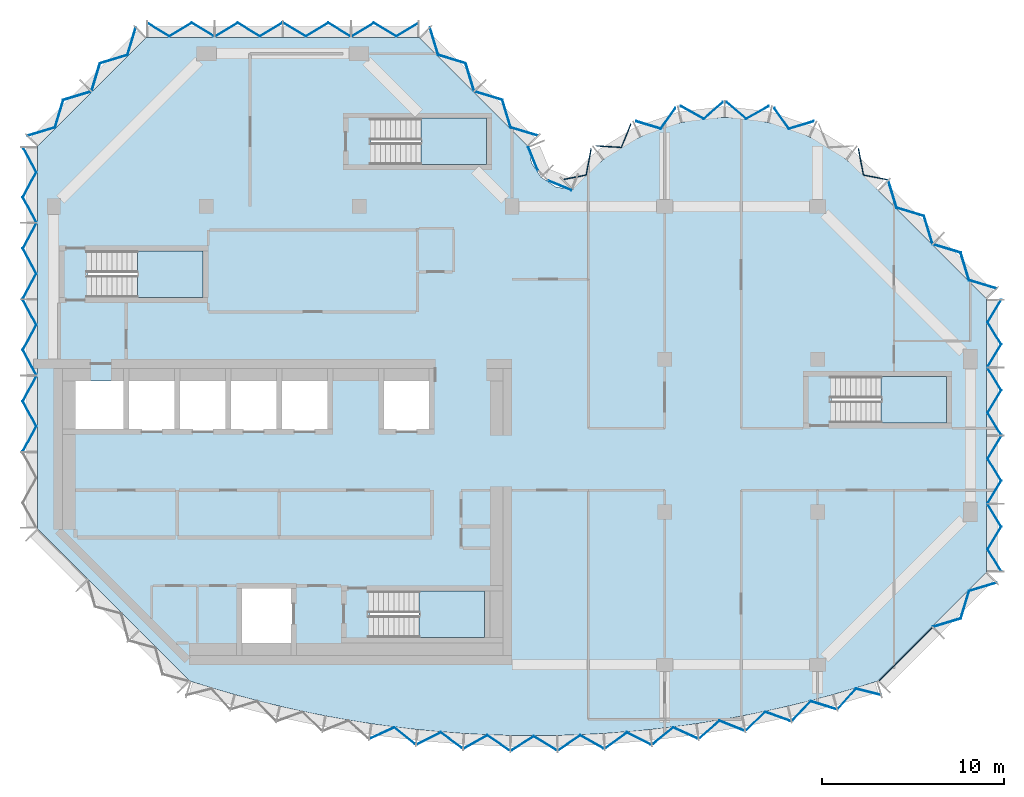
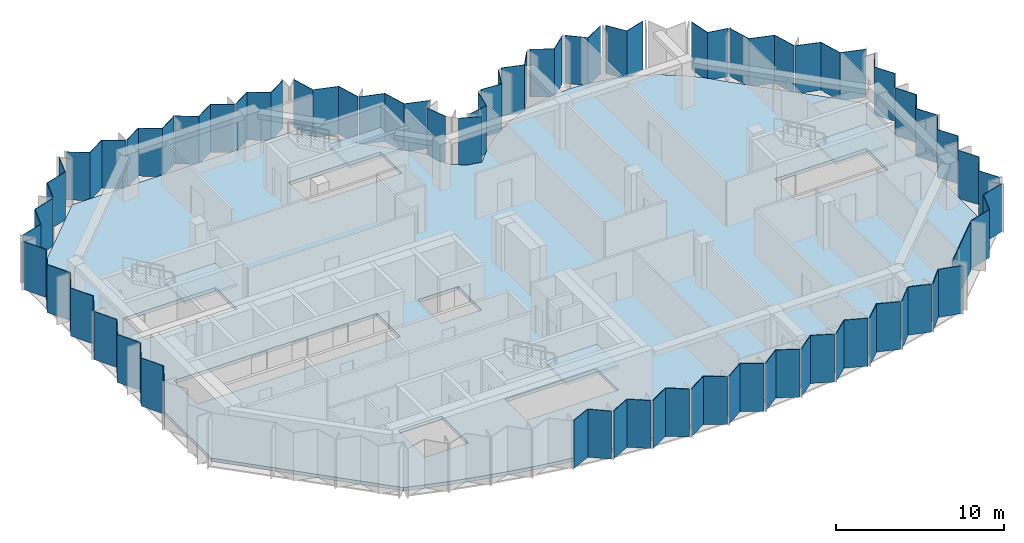
# One storey, part 3 of 9: 40 plates, 5 slabs, 14 elements without a shape of their own.
"""IFC4 building model written with IfcOpenShell, lengths in metres."""

from ifc_helpers import new_model, si_unit, direction, frame, origin, place, context, subcontext, project, spatial, polyline, outline, extrude, material, layer, layer_set, type_object, element, aggregate, save


model = new_model("IFC4")

# Units and contexts
model_context = context("Model", 3, precision=1e-05, world=origin(), true_north=direction((0.0, 1.0)))
body_context = subcontext(model_context, "Body", "Model", "MODEL_VIEW")
ifc_project = project(units=[si_unit("LENGTHUNIT", "METRE"), si_unit("AREAUNIT", "SQUARE_METRE"), si_unit("VOLUMEUNIT", "CUBIC_METRE"), si_unit("PLANEANGLEUNIT", "RADIAN"), si_unit("MASSUNIT", "GRAM", prefix="KILO")], contexts=[model_context])

# Site, building, storey
site_placement = place(None, origin())
site = spatial("IfcSite", under=ifc_project, at=site_placement, CompositionType="ELEMENT")
building_placement = place(site_placement, origin())
building = spatial("IfcBuilding", under=site, at=building_placement, Name="Brevane Broadcast Tower", CompositionType="ELEMENT")
storey_placement = place(building_placement, frame((0.0, 0.0, 215.699951171875)))
storey = spatial("IfcBuildingStorey", under=building, at=storey_placement, Name="L54", CompositionType="ELEMENT", Elevation=215.699951171875)

# Curtain wall, plates
ifc_material_1 = material(Name="Aluminium 6063-T6 bronze anodised", Category="aluminium")
curtain_wall_type = type_object("IfcCurtainWallType", Name="CW-1 curtain wall", PredefinedType="NOTDEFINED", material=ifc_material_1)
curtain_wall_1_placement = place(storey_placement, origin())
curtain_wall_1 = element("IfcCurtainWall", 1, at=curtain_wall_1_placement, inside=storey, type_object=curtain_wall_type, Name="CW-1 typical tilted unit L54 south bow", PredefinedType="NOTDEFINED")
ifc_material_2 = material(Name="Laminated glass bronze-tinted", Category="glass")
ifc_layer_1 = layer(ifc_material_2, 0.0400390625)
ifc_layer_set_1 = layer_set([ifc_layer_1], Name="CW tall glass panel 40")
plate_type = type_object("IfcPlateType", Name="CW tall glass panel 40", PredefinedType="CURTAIN_PANEL", material=ifc_layer_set_1)
plate_1_placement = place(storey_placement, frame((0.0, 0.0, -0.14990234375)))
plate_1 = element("IfcPlate", 2, at=plate_1_placement, type_object=plate_type, Name="CW-1 glass panel", PredefinedType="CURTAIN_PANEL", context=body_context, shape_type="SweptSolid", body=[
    extrude(outline(polyline([(17.424072265625, -4.021728515625), (17.4169921875, -4.06884765625), (18.72705078125, -3.47265625), (19.8466796875, -4.37451171875), (19.851806640625, -4.3271484375), (18.73291015625, -3.426025390625), (17.424072265625, -4.021728515625)])), origin(), (0.0, 0.0, 1.0), 3.5),
])
plate_2_placement = place(storey_placement, frame((0.0, 0.0, -0.14990234375)))
plate_2 = element("IfcPlate", 3, at=plate_2_placement, type_object=plate_type, Name="CW-1 glass panel", PredefinedType="CURTAIN_PANEL", context=body_context, shape_type="SweptSolid", body=[
    extrude(outline(polyline([(19.998046875, -4.3466796875), (19.992919921875, -4.39404296875), (21.27734375, -3.741943359375), (22.43359375, -4.594482421875), (22.4365234375, -4.547119140625), (21.28125, -3.695068359375), (19.998046875, -4.3466796875)])), origin(), (0.0, 0.0, 1.0), 3.5),
])
plate_3_placement = place(storey_placement, frame((0.0, 0.0, -0.14990234375)))
plate_3 = element("IfcPlate", 4, at=plate_3_placement, type_object=plate_type, Name="CW-1 glass panel", PredefinedType="CURTAIN_PANEL", context=body_context, shape_type="SweptSolid", body=[
    extrude(outline(polyline([(22.58349609375, -4.563720703125), (22.580322265625, -4.611083984375), (23.836669921875, -3.904541015625), (25.02783203125, -4.706787109375), (25.02880859375, -4.6591796875), (23.83837890625, -3.857666015625), (22.58349609375, -4.563720703125)])), origin(), (0.0, 0.0, 1.0), 3.5),
])
plate_4_placement = place(storey_placement, frame((0.0, 0.0, -0.14990234375)))
plate_4 = element("IfcPlate", 5, at=plate_4_placement, type_object=plate_type, Name="CW-1 glass panel", PredefinedType="CURTAIN_PANEL", context=body_context, shape_type="SweptSolid", body=[
    extrude(outline(polyline([(25.176025390625, -4.67236328125), (25.175048828125, -4.719970703125), (26.4052734375, -3.958984375), (27.634033203125, -4.70849609375), (27.633056640625, -4.6611328125), (26.4052734375, -3.912109375), (25.176025390625, -4.67236328125)])), origin(), (0.0, 0.0, 1.0), 3.5),
])
plate_5_placement = place(storey_placement, frame((0.0, 0.0, -0.14990234375)))
plate_5 = element("IfcPlate", 6, at=plate_5_placement, type_object=plate_type, Name="CW-1 glass panel", PredefinedType="CURTAIN_PANEL", context=body_context, shape_type="SweptSolid", body=[
    extrude(outline(polyline([(27.76171875, -4.65966796875), (27.7626953125, -4.70703125), (28.958740234375, -3.90478515625), (30.219482421875, -4.611083984375), (30.216552734375, -4.563720703125), (28.956787109375, -3.85791015625), (27.76171875, -4.65966796875)])), origin(), (0.0, 0.0, 1.0), 3.5),
])
plate_6_placement = place(storey_placement, frame((0.0, 0.0, -0.14990234375)))
plate_6 = element("IfcPlate", 7, at=plate_6_placement, type_object=plate_type, Name="CW-1 glass panel", PredefinedType="CURTAIN_PANEL", context=body_context, shape_type="SweptSolid", body=[
    extrude(outline(polyline([(30.36328125, -4.547119140625), (30.366455078125, -4.594482421875), (31.522705078125, -3.741943359375), (32.806884765625, -4.39404296875), (32.802001953125, -4.3466796875), (31.518798828125, -3.695068359375), (30.36328125, -4.547119140625)])), origin(), (0.0, 0.0, 1.0), 3.5),
])
plate_7_placement = place(storey_placement, frame((0.0, 0.0, -0.14990234375)))
plate_7 = element("IfcPlate", 8, at=plate_7_placement, type_object=plate_type, Name="CW-1 glass panel", PredefinedType="CURTAIN_PANEL", context=body_context, shape_type="SweptSolid", body=[
    extrude(outline(polyline([(32.9482421875, -4.3271484375), (32.953369140625, -4.37451171875), (34.072998046875, -3.47265625), (35.383056640625, -4.06884765625), (35.3759765625, -4.021728515625), (34.067138671875, -3.426025390625), (32.9482421875, -4.3271484375)])), origin(), (0.0, 0.0, 1.0), 3.5),
])
plate_8_placement = place(storey_placement, frame((0.0, 0.0, -0.14990234375)))
plate_8 = element("IfcPlate", 9, at=plate_8_placement, type_object=plate_type, Name="CW-1 glass panel", PredefinedType="CURTAIN_PANEL", context=body_context, shape_type="SweptSolid", body=[
    extrude(outline(polyline([(35.521728515625, -3.99951171875), (35.52880859375, -4.04638671875), (36.60986328125, -3.09716796875), (37.943115234375, -3.63671875), (37.93408203125, -3.58984375), (36.60205078125, -3.05078125), (35.521728515625, -3.99951171875)])), origin(), (0.0, 0.0, 1.0), 3.5),
])
plate_9_placement = place(storey_placement, frame((0.0, 0.0, -0.14990234375)))
plate_9 = element("IfcPlate", 10, at=plate_9_placement, type_object=plate_type, Name="CW-1 glass panel", PredefinedType="CURTAIN_PANEL", context=body_context, shape_type="SweptSolid", body=[
    extrude(outline(polyline([(38.07958984375, -3.564453125), (38.08837890625, -3.611328125), (39.128662109375, -2.615966796875), (40.48291015625, -3.09765625), (40.471923828125, -3.051513671875), (39.118896484375, -2.570068359375), (38.07958984375, -3.564453125)])), origin(), (0.0, 0.0, 1.0), 3.5),
])
plate_10_placement = place(storey_placement, frame((0.0, 0.0, -0.14990234375)))
plate_10 = element("IfcPlate", 11, at=plate_10_placement, type_object=plate_type, Name="CW-1 glass panel", PredefinedType="CURTAIN_PANEL", context=body_context, shape_type="SweptSolid", body=[
    extrude(outline(polyline([(40.61669921875, -3.023193359375), (40.627685546875, -3.069580078125), (41.62548828125, -2.030029296875), (42.997802734375, -2.453369140625), (42.985107421875, -2.407470703125), (41.613525390625, -1.984619140625), (40.61669921875, -3.023193359375)])), origin(), (0.0, 0.0, 1.0), 3.5),
])
plate_11_placement = place(storey_placement, frame((0.0, 0.0, -0.14990234375)))
plate_11 = element("IfcPlate", 12, at=plate_11_placement, type_object=plate_type, Name="CW-1 glass panel", PredefinedType="CURTAIN_PANEL", context=body_context, shape_type="SweptSolid", body=[
    extrude(outline(polyline([(43.12939453125, -2.376220703125), (43.14208984375, -2.421875), (44.114013671875, -1.334716796875), (45.501220703125, -1.68798828125), (45.48779296875, -1.643310546875), (44.100341796875, -1.289794921875), (43.12939453125, -2.376220703125)])), origin(), (0.0, 0.0, 1.0), 3.5),
])
aggregate(curtain_wall_1, [plate_1, plate_2, plate_3, plate_4, plate_5, plate_6, plate_7, plate_8, plate_9, plate_10, plate_11])

curtain_wall_2_placement = place(storey_placement, origin())
curtain_wall_2 = element("IfcCurtainWall", 13, at=curtain_wall_2_placement, inside=storey, type_object=curtain_wall_type, Name="CW-1 typical tilted unit L54 south-east chamfer", PredefinedType="NOTDEFINED")
plate_12_placement = place(storey_placement, frame((0.0, 0.0, -0.14990234375)))
plate_12 = element("IfcPlate", 14, at=plate_12_placement, type_object=plate_type, Name="CW-1 glass panel", PredefinedType="CURTAIN_PANEL", context=body_context, shape_type="SweptSolid", body=[
    extrude(outline(polyline([(45.345947265625, -0.896484375), (48.29638671875, 2.053955078125), (48.32470703125, 2.02587890625), (45.374267578125, -0.9248046875), (45.345947265625, -0.896484375)])), origin(), (0.0, 0.0, 1.0), 3.5),
])
plate_13_placement = place(storey_placement, frame((0.0, 0.0, -0.14990234375)))
plate_13 = element("IfcPlate", 15, at=plate_13_placement, type_object=plate_type, Name="CW-1 glass panel", PredefinedType="CURTAIN_PANEL", context=body_context, shape_type="SweptSolid", body=[
    extrude(outline(polyline([(48.343994140625, 2.10546875), (48.376220703125, 2.073486328125), (49.885986328125, 2.530517578125), (50.343017578125, 4.040283203125), (51.85302734375, 4.49755859375), (51.82080078125, 4.529541015625), (50.31103515625, 4.072509765625), (49.85400390625, 2.5625), (48.343994140625, 2.10546875)])), origin(), (0.0, 0.0, 1.0), 3.5),
])
aggregate(curtain_wall_2, [plate_12, plate_13])

curtain_wall_3_placement = place(storey_placement, origin())
curtain_wall_3 = element("IfcCurtainWall", 16, at=curtain_wall_3_placement, inside=storey, type_object=curtain_wall_type, Name="CW-1 typical tilted unit L54 east end", PredefinedType="NOTDEFINED")
plate_14_placement = place(storey_placement, frame((0.0, 0.0, -0.14990234375)))
plate_14 = element("IfcPlate", 17, at=plate_14_placement, type_object=plate_type, Name="CW-1 glass panel", PredefinedType="CURTAIN_PANEL", context=body_context, shape_type="SweptSolid", body=[
    extrude(outline(polyline([(52.071044921875, 5.135009765625), (52.117919921875, 5.135009765625), (51.373291015625, 6.36181640625), (52.117919921875, 7.58837890625), (51.373291015625, 8.81494140625), (51.32666015625, 8.81494140625), (52.071044921875, 7.58837890625), (51.32666015625, 6.36181640625), (52.071044921875, 5.135009765625)])), origin(), (0.0, 0.0, 1.0), 3.5),
])
plate_15_placement = place(storey_placement, frame((0.0, 0.0, -0.14990234375)))
plate_15 = element("IfcPlate", 18, at=plate_15_placement, type_object=plate_type, Name="CW-1 glass panel", PredefinedType="CURTAIN_PANEL", context=body_context, shape_type="SweptSolid", body=[
    extrude(outline(polyline([(51.32666015625, 8.885009765625), (51.373291015625, 8.885009765625), (52.117919921875, 10.11181640625), (51.373291015625, 11.33837890625), (52.117919921875, 12.56494140625), (52.071044921875, 12.56494140625), (51.32666015625, 11.33837890625), (52.071044921875, 10.11181640625), (51.32666015625, 8.885009765625)])), origin(), (0.0, 0.0, 1.0), 3.5),
])
plate_16_placement = place(storey_placement, frame((0.0, 0.0, -0.14990234375)))
plate_16 = element("IfcPlate", 19, at=plate_16_placement, type_object=plate_type, Name="CW-1 glass panel", PredefinedType="CURTAIN_PANEL", context=body_context, shape_type="SweptSolid", body=[
    extrude(outline(polyline([(52.071044921875, 12.635009765625), (52.117919921875, 12.635009765625), (51.373291015625, 13.86181640625), (52.117919921875, 15.08837890625), (51.373291015625, 16.31494140625), (51.32666015625, 16.31494140625), (52.071044921875, 15.08837890625), (51.32666015625, 13.86181640625), (52.071044921875, 12.635009765625)])), origin(), (0.0, 0.0, 1.0), 3.5),
])
plate_17_placement = place(storey_placement, frame((0.0, 0.0, -0.14990234375)))
plate_17 = element("IfcPlate", 20, at=plate_17_placement, type_object=plate_type, Name="CW-1 glass panel", PredefinedType="CURTAIN_PANEL", context=body_context, shape_type="SweptSolid", body=[
    extrude(outline(polyline([(51.32666015625, 16.385009765625), (51.373291015625, 16.385009765625), (52.117919921875, 17.61181640625), (51.373291015625, 18.83837890625), (52.117919921875, 20.06494140625), (52.071044921875, 20.06494140625), (51.32666015625, 18.83837890625), (52.071044921875, 17.61181640625), (51.32666015625, 16.385009765625)])), origin(), (0.0, 0.0, 1.0), 3.5),
])
aggregate(curtain_wall_3, [plate_14, plate_15, plate_16, plate_17])

curtain_wall_4_placement = place(storey_placement, origin())
curtain_wall_4 = element("IfcCurtainWall", 21, at=curtain_wall_4_placement, inside=storey, type_object=curtain_wall_type, Name="CW-1 typical tilted unit L54 north-east chamfer", PredefinedType="NOTDEFINED")
plate_18_placement = place(storey_placement, frame((0.0, 0.0, -0.14990234375)))
plate_18 = element("IfcPlate", 22, at=plate_18_placement, type_object=plate_type, Name="CW-1 glass panel", PredefinedType="CURTAIN_PANEL", context=body_context, shape_type="SweptSolid", body=[
    extrude(outline(polyline([(51.82080078125, 20.67041015625), (51.85302734375, 20.702392578125), (50.343017578125, 21.15966796875), (49.885986328125, 22.66943359375), (48.376220703125, 23.126708984375), (48.343994140625, 23.094482421875), (49.85400390625, 22.637451171875), (50.31103515625, 21.127685546875), (51.82080078125, 20.67041015625)])), origin(), (0.0, 0.0, 1.0), 3.5),
])
plate_19_placement = place(storey_placement, frame((0.0, 0.0, -0.14990234375)))
plate_19 = element("IfcPlate", 23, at=plate_19_placement, type_object=plate_type, Name="CW-1 glass panel", PredefinedType="CURTAIN_PANEL", context=body_context, shape_type="SweptSolid", body=[
    extrude(outline(polyline([(48.294677734375, 23.14404296875), (48.32666015625, 23.176025390625), (47.869384765625, 24.68603515625), (46.359619140625, 25.14306640625), (45.902587890625, 26.653076171875), (45.870361328125, 26.620849609375), (46.32763671875, 25.111083984375), (47.83740234375, 24.65380859375), (48.294677734375, 23.14404296875)])), origin(), (0.0, 0.0, 1.0), 3.5),
])
aggregate(curtain_wall_4, [plate_18, plate_19])

curtain_wall_5_placement = place(storey_placement, origin())
curtain_wall_5 = element("IfcCurtainWall", 24, at=curtain_wall_5_placement, inside=storey, type_object=curtain_wall_type, Name="CW-1 typical tilted unit L54 east bow", PredefinedType="NOTDEFINED")
plate_20_placement = place(storey_placement, frame((0.0, 0.0, -0.14990234375)))
plate_20 = element("IfcPlate", 25, at=plate_20_placement, type_object=plate_type, Name="CW-1 glass panel", PredefinedType="CURTAIN_PANEL", context=body_context, shape_type="SweptSolid", body=[
    extrude(outline(polyline([(45.79150390625, 26.656005859375), (45.82470703125, 26.690185546875), (44.539306640625, 26.9423828125), (44.263916015625, 28.3857421875), (44.231201171875, 28.34375), (44.5048828125, 26.908203125), (45.79150390625, 26.656005859375)])), origin(), (0.0, 0.0, 1.0), 3.5),
])
plate_21_placement = place(storey_placement, frame((0.0, 0.0, -0.14990234375)))
plate_21 = element("IfcPlate", 26, at=plate_21_placement, type_object=plate_type, Name="CW-1 glass panel", PredefinedType="CURTAIN_PANEL", context=body_context, shape_type="SweptSolid", body=[
    extrude(outline(polyline([(41.75537109375, 29.851806640625), (41.778564453125, 29.900634765625), (40.435546875, 29.494384765625), (39.6328125, 30.622802734375), (39.62060546875, 30.57080078125), (40.41943359375, 29.44775390625), (41.75537109375, 29.851806640625)])), origin(), (0.0, 0.0, 1.0), 3.5),
])
plate_22_placement = place(storey_placement, frame((0.0, 0.0, -0.14990234375)))
plate_22 = element("IfcPlate", 27, at=plate_22_placement, type_object=plate_type, Name="CW-1 glass panel", PredefinedType="CURTAIN_PANEL", context=body_context, shape_type="SweptSolid", body=[
    extrude(outline(polyline([(39.31640625, 30.68798828125), (39.328369140625, 30.740478515625), (38.069580078125, 30.036376953125), (37.008056640625, 30.94921875), (37.008056640625, 30.896484375), (38.064697265625, 29.98779296875), (39.31640625, 30.68798828125)])), origin(), (0.0, 0.0, 1.0), 3.5),
])
plate_23_placement = place(storey_placement, frame((0.0, 0.0, -0.14990234375)))
plate_23 = element("IfcPlate", 28, at=plate_23_placement, type_object=plate_type, Name="CW-1 glass panel", PredefinedType="CURTAIN_PANEL", context=body_context, shape_type="SweptSolid", body=[
    extrude(outline(polyline([(36.7919921875, 30.896484375), (36.7919921875, 30.94921875), (35.730224609375, 30.036376953125), (34.4716796875, 30.740478515625), (34.483642578125, 30.68798828125), (35.735107421875, 29.98779296875), (36.7919921875, 30.896484375)])), origin(), (0.0, 0.0, 1.0), 3.5),
])
plate_24_placement = place(storey_placement, frame((0.0, 0.0, -0.14990234375)))
plate_24 = element("IfcPlate", 29, at=plate_24_placement, type_object=plate_type, Name="CW-1 glass panel", PredefinedType="CURTAIN_PANEL", context=body_context, shape_type="SweptSolid", body=[
    extrude(outline(polyline([(34.17919921875, 30.57080078125), (34.167236328125, 30.622802734375), (33.364501953125, 29.494384765625), (32.021484375, 29.900634765625), (32.044677734375, 29.851806640625), (33.380615234375, 29.44775390625), (34.17919921875, 30.57080078125)])), origin(), (0.0, 0.0, 1.0), 3.5),
])
plate_25_placement = place(storey_placement, frame((0.0, 0.0, -0.14990234375)))
plate_25 = element("IfcPlate", 30, at=plate_25_placement, type_object=plate_type, Name="CW-1 glass panel", PredefinedType="CURTAIN_PANEL", context=body_context, shape_type="SweptSolid", body=[
    extrude(outline(polyline([(31.753173828125, 29.712890625), (31.729736328125, 29.76171875), (31.198486328125, 28.462890625), (29.816650390625, 28.551025390625), (29.849609375, 28.5087890625), (31.224609375, 28.42138671875), (31.753173828125, 29.712890625)])), origin(), (0.0, 0.0, 1.0), 3.5),
])
plate_26_placement = place(storey_placement, frame((0.0, 0.0, -0.14990234375)))
plate_26 = element("IfcPlate", 31, at=plate_26_placement, type_object=plate_type, Name="CW-1 glass panel", PredefinedType="CURTAIN_PANEL", context=body_context, shape_type="SweptSolid", body=[
    extrude(outline(polyline([(29.568603515625, 28.34375), (29.535888671875, 28.3857421875), (29.2607421875, 26.9423828125), (27.975341796875, 26.690185546875), (28.008544921875, 26.656005859375), (29.294921875, 26.908203125), (29.568603515625, 28.34375)])), origin(), (0.0, 0.0, 1.0), 3.5),
])
aggregate(curtain_wall_5, [plate_20, plate_21, plate_22, plate_23, plate_24, plate_25, plate_26])

curtain_wall_6_placement = place(storey_placement, origin())
curtain_wall_6 = element("IfcCurtainWall", 32, at=curtain_wall_6_placement, inside=storey, type_object=curtain_wall_type, Name="CW-1 typical tilted unit L54 inner corner", PredefinedType="NOTDEFINED")
plate_27_placement = place(storey_placement, frame((0.0, 0.0, -0.14990234375)))
plate_27 = element("IfcPlate", 33, at=plate_27_placement, type_object=plate_type, Name="CW-1 glass panel", PredefinedType="CURTAIN_PANEL", context=body_context, shape_type="SweptSolid", body=[
    extrude(outline(polyline([(28.45166015625, 26.07470703125), (28.466796875, 26.111572265625), (27.2021484375, 26.635498046875), (27.17138671875, 26.60498046875), (28.45166015625, 26.07470703125)])), origin(), (0.0, 0.0, 1.0), 3.5),
])
plate_28_placement = place(storey_placement, frame((0.0, 0.0, -0.14990234375)))
plate_28 = element("IfcPlate", 34, at=plate_28_placement, type_object=plate_type, Name="CW-1 glass panel", PredefinedType="CURTAIN_PANEL", context=body_context, shape_type="SweptSolid", body=[
    extrude(outline(polyline([(26.60498046875, 27.17138671875), (26.635498046875, 27.2021484375), (26.111572265625, 28.466796875), (26.07470703125, 28.45166015625), (26.60498046875, 27.17138671875)])), origin(), (0.0, 0.0, 1.0), 3.5),
])
aggregate(curtain_wall_6, [plate_27, plate_28])

curtain_wall_7_placement = place(storey_placement, origin())
curtain_wall_7 = element("IfcCurtainWall", 35, at=curtain_wall_7_placement, inside=storey, type_object=curtain_wall_type, Name="CW-1 typical tilted unit L54 north arm north-east chamfer", PredefinedType="NOTDEFINED")
plate_29_placement = place(storey_placement, frame((0.0, 0.0, -0.14990234375)))
plate_29 = element("IfcPlate", 36, at=plate_29_placement, type_object=plate_type, Name="CW-1 glass panel", PredefinedType="CURTAIN_PANEL", context=body_context, shape_type="SweptSolid", body=[
    extrude(outline(polyline([(26.620849609375, 29.0703125), (26.653076171875, 29.1025390625), (25.14306640625, 29.5595703125), (24.68603515625, 31.069580078125), (23.176025390625, 31.526611328125), (23.14404296875, 31.49462890625), (24.65380859375, 31.037353515625), (25.111083984375, 29.527587890625), (26.620849609375, 29.0703125)])), origin(), (0.0, 0.0, 1.0), 3.5),
])
plate_30_placement = place(storey_placement, frame((0.0, 0.0, -0.14990234375)))
plate_30 = element("IfcPlate", 37, at=plate_30_placement, type_object=plate_type, Name="CW-1 glass panel", PredefinedType="CURTAIN_PANEL", context=body_context, shape_type="SweptSolid", body=[
    extrude(outline(polyline([(23.094482421875, 31.544189453125), (23.126708984375, 31.576171875), (22.66943359375, 33.0859375), (21.15966796875, 33.543212890625), (20.702392578125, 35.052978515625), (20.67041015625, 35.02099609375), (21.127685546875, 33.510986328125), (22.637451171875, 33.053955078125), (23.094482421875, 31.544189453125)])), origin(), (0.0, 0.0, 1.0), 3.5),
])
aggregate(curtain_wall_7, [plate_29, plate_30])

curtain_wall_8_placement = place(storey_placement, origin())
curtain_wall_8 = element("IfcCurtainWall", 38, at=curtain_wall_8_placement, inside=storey, type_object=curtain_wall_type, Name="CW-1 typical tilted unit L54 north end", PredefinedType="NOTDEFINED")
plate_31_placement = place(storey_placement, frame((0.0, 0.0, -0.14990234375)))
plate_31 = element("IfcPlate", 39, at=plate_31_placement, type_object=plate_type, Name="CW-1 glass panel", PredefinedType="CURTAIN_PANEL", context=body_context, shape_type="SweptSolid", body=[
    extrude(outline(polyline([(20.06494140625, 35.27099609375), (20.06494140625, 35.31787109375), (18.83837890625, 34.573486328125), (17.61181640625, 35.31787109375), (16.385009765625, 34.573486328125), (16.385009765625, 34.526611328125), (17.61181640625, 35.27099609375), (18.83837890625, 34.526611328125), (20.06494140625, 35.27099609375)])), origin(), (0.0, 0.0, 1.0), 3.5),
])
plate_32_placement = place(storey_placement, frame((0.0, 0.0, -0.14990234375)))
plate_32 = element("IfcPlate", 40, at=plate_32_placement, type_object=plate_type, Name="CW-1 glass panel", PredefinedType="CURTAIN_PANEL", context=body_context, shape_type="SweptSolid", body=[
    extrude(outline(polyline([(16.31494140625, 34.526611328125), (16.31494140625, 34.573486328125), (15.08837890625, 35.31787109375), (13.86181640625, 34.573486328125), (12.635009765625, 35.31787109375), (12.635009765625, 35.27099609375), (13.86181640625, 34.526611328125), (15.08837890625, 35.27099609375), (16.31494140625, 34.526611328125)])), origin(), (0.0, 0.0, 1.0), 3.5),
])
plate_33_placement = place(storey_placement, frame((0.0, 0.0, -0.14990234375)))
plate_33 = element("IfcPlate", 41, at=plate_33_placement, type_object=plate_type, Name="CW-1 glass panel", PredefinedType="CURTAIN_PANEL", context=body_context, shape_type="SweptSolid", body=[
    extrude(outline(polyline([(12.56494140625, 35.27099609375), (12.56494140625, 35.31787109375), (11.33837890625, 34.573486328125), (10.11181640625, 35.31787109375), (8.885009765625, 34.573486328125), (8.885009765625, 34.526611328125), (10.11181640625, 35.27099609375), (11.33837890625, 34.526611328125), (12.56494140625, 35.27099609375)])), origin(), (0.0, 0.0, 1.0), 3.5),
])
plate_34_placement = place(storey_placement, frame((0.0, 0.0, -0.14990234375)))
plate_34 = element("IfcPlate", 42, at=plate_34_placement, type_object=plate_type, Name="CW-1 glass panel", PredefinedType="CURTAIN_PANEL", context=body_context, shape_type="SweptSolid", body=[
    extrude(outline(polyline([(8.81494140625, 34.526611328125), (8.81494140625, 34.573486328125), (7.58837890625, 35.31787109375), (6.36181640625, 34.573486328125), (5.135009765625, 35.31787109375), (5.135009765625, 35.27099609375), (6.36181640625, 34.526611328125), (7.58837890625, 35.27099609375), (8.81494140625, 34.526611328125)])), origin(), (0.0, 0.0, 1.0), 3.5),
])
aggregate(curtain_wall_8, [plate_31, plate_32, plate_33, plate_34])

curtain_wall_9_placement = place(storey_placement, origin())
curtain_wall_9 = element("IfcCurtainWall", 43, at=curtain_wall_9_placement, inside=storey, type_object=curtain_wall_type, Name="CW-1 typical tilted unit L54 north-west chamfer", PredefinedType="NOTDEFINED")
plate_35_placement = place(storey_placement, frame((0.0, 0.0, -0.14990234375)))
plate_35 = element("IfcPlate", 44, at=plate_35_placement, type_object=plate_type, Name="CW-1 glass panel", PredefinedType="CURTAIN_PANEL", context=body_context, shape_type="SweptSolid", body=[
    extrude(outline(polyline([(4.529541015625, 35.02099609375), (4.49755859375, 35.052978515625), (4.040283203125, 33.543212890625), (2.530517578125, 33.0859375), (2.073486328125, 31.576171875), (2.10546875, 31.544189453125), (2.5625, 33.053955078125), (4.072509765625, 33.510986328125), (4.529541015625, 35.02099609375)])), origin(), (0.0, 0.0, 1.0), 3.5),
])
plate_36_placement = place(storey_placement, frame((0.0, 0.0, -0.14990234375)))
plate_36 = element("IfcPlate", 45, at=plate_36_placement, type_object=plate_type, Name="CW-1 glass panel", PredefinedType="CURTAIN_PANEL", context=body_context, shape_type="SweptSolid", body=[
    extrude(outline(polyline([(2.055908203125, 31.49462890625), (2.02392578125, 31.526611328125), (0.513916015625, 31.069580078125), (0.056884765625, 29.5595703125), (-1.452880859375, 29.1025390625), (-1.4208984375, 29.0703125), (0.0888671875, 29.527587890625), (0.546142578125, 31.037353515625), (2.055908203125, 31.49462890625)])), origin(), (0.0, 0.0, 1.0), 3.5),
])
aggregate(curtain_wall_9, [plate_35, plate_36])

curtain_wall_10_placement = place(storey_placement, origin())
curtain_wall_10 = element("IfcCurtainWall", 46, at=curtain_wall_10_placement, inside=storey, type_object=curtain_wall_type, Name="CW-1 typical tilted unit L54 west face", PredefinedType="NOTDEFINED")
plate_37_placement = place(storey_placement, frame((0.0, 0.0, -0.14990234375)))
plate_37 = element("IfcPlate", 47, at=plate_37_placement, type_object=plate_type, Name="CW-1 glass panel", PredefinedType="CURTAIN_PANEL", context=body_context, shape_type="SweptSolid", body=[
    extrude(outline(polyline([(-1.671630859375, 28.465087890625), (-1.717041015625, 28.465087890625), (-0.97265625, 27.08837890625), (-1.717041015625, 25.711669921875), (-0.97265625, 24.3349609375), (-0.92724609375, 24.3349609375), (-1.671630859375, 25.711669921875), (-0.92724609375, 27.08837890625), (-1.671630859375, 28.465087890625)])), origin(), (0.0, 0.0, 1.0), 3.5),
])
plate_38_placement = place(storey_placement, frame((0.0, 0.0, -0.14990234375)))
plate_38 = element("IfcPlate", 48, at=plate_38_placement, type_object=plate_type, Name="CW-1 glass panel", PredefinedType="CURTAIN_PANEL", context=body_context, shape_type="SweptSolid", body=[
    extrude(outline(polyline([(-0.92724609375, 24.264892578125), (-0.97265625, 24.264892578125), (-1.717041015625, 22.88818359375), (-0.97265625, 21.51171875), (-1.717041015625, 20.135009765625), (-1.671630859375, 20.135009765625), (-0.92724609375, 21.51171875), (-1.671630859375, 22.88818359375), (-0.92724609375, 24.264892578125)])), origin(), (0.0, 0.0, 1.0), 3.5),
])
plate_39_placement = place(storey_placement, frame((0.0, 0.0, -0.14990234375)))
plate_39 = element("IfcPlate", 49, at=plate_39_placement, type_object=plate_type, Name="CW-1 glass panel", PredefinedType="CURTAIN_PANEL", context=body_context, shape_type="SweptSolid", body=[
    extrude(outline(polyline([(-1.671630859375, 20.06494140625), (-1.717041015625, 20.06494140625), (-0.97265625, 18.688232421875), (-1.717041015625, 17.311767578125), (-0.97265625, 15.93505859375), (-0.92724609375, 15.93505859375), (-1.671630859375, 17.311767578125), (-0.92724609375, 18.688232421875), (-1.671630859375, 20.06494140625)])), origin(), (0.0, 0.0, 1.0), 3.5),
])
plate_40_placement = place(storey_placement, frame((0.0, 0.0, -0.14990234375)))
plate_40 = element("IfcPlate", 50, at=plate_40_placement, type_object=plate_type, Name="CW-1 glass panel", PredefinedType="CURTAIN_PANEL", context=body_context, shape_type="SweptSolid", body=[
    extrude(outline(polyline([(-0.92724609375, 15.864990234375), (-0.97265625, 15.864990234375), (-1.717041015625, 14.48828125), (-0.97265625, 13.11181640625), (-1.717041015625, 11.735107421875), (-1.671630859375, 11.735107421875), (-0.92724609375, 13.11181640625), (-1.671630859375, 14.48828125), (-0.92724609375, 15.864990234375)])), origin(), (0.0, 0.0, 1.0), 3.5),
])
aggregate(curtain_wall_10, [plate_37, plate_38, plate_39, plate_40])

# Stair, slab
ifc_material_3 = material(Name="Concrete C50/60", Category="concrete")
stair_type = type_object("IfcStairType", Name="Exit stair 22 risers", PredefinedType="HALF_TURN_STAIR", material=ifc_material_3)
stair_1_placement = place(storey_placement, origin())
stair_1 = element("IfcStair", 51, at=stair_1_placement, inside=storey, type_object=stair_type, Name="L54 Exit stair ST-1", PredefinedType="HALF_TURN_STAIR")
ifc_layer_2 = layer(ifc_material_3, 0.199951171875)
ifc_layer_set_2 = layer_set([ifc_layer_2], Name="Exit stair landing")
slab_type_1 = type_object("IfcSlabType", Name="Exit stair landing", PredefinedType="LANDING", material=ifc_layer_set_2)
slab_1_placement = place(storey_placement, frame((0.0, 0.0, 1.60009765625)))
slab_1 = element("IfcSlab", 52, at=slab_1_placement, type_object=slab_type_1, Name="ST-1 landing 1", PredefinedType="LANDING", context=body_context, shape_type="SweptSolid", body=[
    extrude(outline(polyline([(4.60009765625, 20.199951171875), (8.199951171875, 20.199951171875), (8.199951171875, 22.75), (4.60009765625, 22.75), (4.60009765625, 20.199951171875)])), origin(), (0.0, 0.0, 1.0), 0.199951171875),
])
aggregate(stair_1, [slab_1])

stair_2_placement = place(storey_placement, origin())
stair_2 = element("IfcStair", 53, at=stair_2_placement, inside=storey, type_object=stair_type, Name="L54 Exit stair ST-2", PredefinedType="HALF_TURN_STAIR")
slab_2_placement = place(storey_placement, frame((0.0, 0.0, 1.60009765625)))
slab_2 = element("IfcSlab", 54, at=slab_2_placement, type_object=slab_type_1, Name="ST-2 landing 1", PredefinedType="LANDING", context=body_context, shape_type="SweptSolid", body=[
    extrude(outline(polyline([(20.10009765625, 1.5), (23.699951171875, 1.5), (23.699951171875, 4.050048828125), (20.10009765625, 4.050048828125), (20.10009765625, 1.5)])), origin(), (0.0, 0.0, 1.0), 0.199951171875),
])
aggregate(stair_2, [slab_2])

stair_3_placement = place(storey_placement, origin())
stair_3 = element("IfcStair", 55, at=stair_3_placement, inside=storey, type_object=stair_type, Name="L54 Exit stair ST-3", PredefinedType="HALF_TURN_STAIR")
slab_3_placement = place(storey_placement, frame((0.0, 0.0, 1.60009765625)))
slab_3 = element("IfcSlab", 56, at=slab_3_placement, type_object=slab_type_1, Name="ST-3 landing 1", PredefinedType="LANDING", context=body_context, shape_type="SweptSolid", body=[
    extrude(outline(polyline([(20.199951171875, 27.5), (23.800048828125, 27.5), (23.800048828125, 30.050048828125), (20.199951171875, 30.050048828125), (20.199951171875, 27.5)])), origin(), (0.0, 0.0, 1.0), 0.199951171875),
])
aggregate(stair_3, [slab_3])

stair_4_placement = place(storey_placement, origin())
stair_4 = element("IfcStair", 57, at=stair_4_placement, inside=storey, type_object=stair_type, Name="L54 Exit stair ST-4", PredefinedType="HALF_TURN_STAIR")
slab_4_placement = place(storey_placement, frame((0.0, 0.0, 1.60009765625)))
slab_4 = element("IfcSlab", 58, at=slab_4_placement, type_object=slab_type_1, Name="ST-4 landing 1", PredefinedType="LANDING", context=body_context, shape_type="SweptSolid", body=[
    extrude(outline(polyline([(45.5, 13.300048828125), (49.10009765625, 13.300048828125), (49.10009765625, 15.85009765625), (45.5, 15.85009765625), (45.5, 13.300048828125)])), origin(), (0.0, 0.0, 1.0), 0.199951171875),
])
aggregate(stair_4, [slab_4])

# Slab
ifc_material_4 = material(Name="Concrete C40/50", Category="concrete")
ifc_layer_3 = layer(ifc_material_4, 0.25)
ifc_layer_set_3 = layer_set([ifc_layer_3], Name="RC FLOOR SLAB 250 C40/50")
slab_type_2 = type_object("IfcSlabType", Name="RC FLOOR SLAB 250 C40/50", PredefinedType="FLOOR", material=ifc_layer_set_3)
slab_5_placement = place(storey_placement, frame((0.0, 0.0, -0.25)))
element("IfcSlab", 59, at=slab_5_placement, inside=storey, type_object=slab_type_2, Name="SL250 L54", PredefinedType="FLOOR", context=body_context, shape_type="SweptSolid", body=[
    extrude(outline(polyline([(-0.89990234375, 7.5), (-0.89990234375, 28.5), (5.10009765625, 34.5), (20.10009765625, 34.5), (26.10009765625, 28.5), (26.28271484375, 27.58154296875), (26.802978515625, 26.802978515625), (27.58154296875, 26.28271484375), (28.5, 26.10009765625), (29.431396484375, 27.10888671875), (30.48291015625, 27.99169921875), (31.6376953125, 28.734130859375), (32.877197265625, 29.324462890625), (34.181640625, 29.7529296875), (35.52978515625, 30.012939453125), (36.89990234375, 30.10009765625), (38.270263671875, 30.012939453125), (39.618408203125, 29.7529296875), (40.922607421875, 29.324462890625), (42.162353515625, 28.734130859375), (43.317138671875, 27.99169921875), (44.36865234375, 27.10888671875), (45.300048828125, 26.10009765625), (51.300048828125, 20.10009765625), (51.300048828125, 5.10009765625), (45.300048828125, -0.89990234375), (43.990234375, -1.310302734375), (42.671630859375, -1.691162109375), (41.3447265625, -2.0419921875), (40.01025390625, -2.36328125), (38.6689453125, -2.654052734375), (37.3212890625, -2.9150390625), (35.96826171875, -3.145263671875), (34.6103515625, -3.34521484375), (33.248291015625, -3.5146484375), (31.8828125, -3.6533203125), (30.5146484375, -3.76123046875), (29.144287109375, -3.83837890625), (27.7724609375, -3.884521484375), (26.39990234375, -3.89990234375), (25.027587890625, -3.884521484375), (23.65576171875, -3.83837890625), (22.285400390625, -3.76123046875), (20.917236328125, -3.6533203125), (19.5517578125, -3.5146484375), (18.189697265625, -3.34521484375), (16.831787109375, -3.145263671875), (15.478759765625, -2.9150390625), (14.131103515625, -2.654052734375), (12.789794921875, -2.36328125), (11.455322265625, -2.0419921875), (10.12841796875, -1.691162109375), (8.809814453125, -1.310302734375), (7.5, -0.89990234375), (-0.89990234375, 7.5)]), holes=[polyline([(13.199951171875, 4.39990234375), (10.199951171875, 4.39990234375), (10.199951171875, 1.199951171875), (13.199951171875, 1.199951171875), (13.199951171875, 4.39990234375)]), polyline([(4.0, 15.60009765625), (1.199951171875, 15.60009765625), (1.199951171875, 12.800048828125), (4.0, 12.800048828125), (6.800048828125, 12.800048828125), (9.60009765625, 12.800048828125), (12.39990234375, 12.800048828125), (15.199951171875, 12.800048828125), (15.199951171875, 15.60009765625), (12.39990234375, 15.60009765625), (9.60009765625, 15.60009765625), (6.800048828125, 15.60009765625), (4.0, 15.60009765625)]), polyline([(1.860107421875, 22.75), (1.860107421875, 20.199951171875), (8.199951171875, 20.199951171875), (8.199951171875, 22.75), (1.860107421875, 22.75)]), polyline([(23.699951171875, 4.050048828125), (17.360107421875, 4.050048828125), (17.360107421875, 1.5), (23.699951171875, 1.5), (23.699951171875, 4.050048828125)]), polyline([(20.800048828125, 15.60009765625), (18.0, 15.60009765625), (18.0, 12.800048828125), (20.800048828125, 12.800048828125), (20.800048828125, 15.60009765625)]), polyline([(49.10009765625, 15.85009765625), (42.760009765625, 15.85009765625), (42.760009765625, 13.300048828125), (49.10009765625, 13.300048828125), (49.10009765625, 15.85009765625)]), polyline([(23.800048828125, 30.050048828125), (17.4599609375, 30.050048828125), (17.4599609375, 27.5), (23.800048828125, 27.5), (23.800048828125, 30.050048828125)])]), origin(), (0.0, 0.0, 1.0), 0.25),
])

save(model, "model.ifc")
